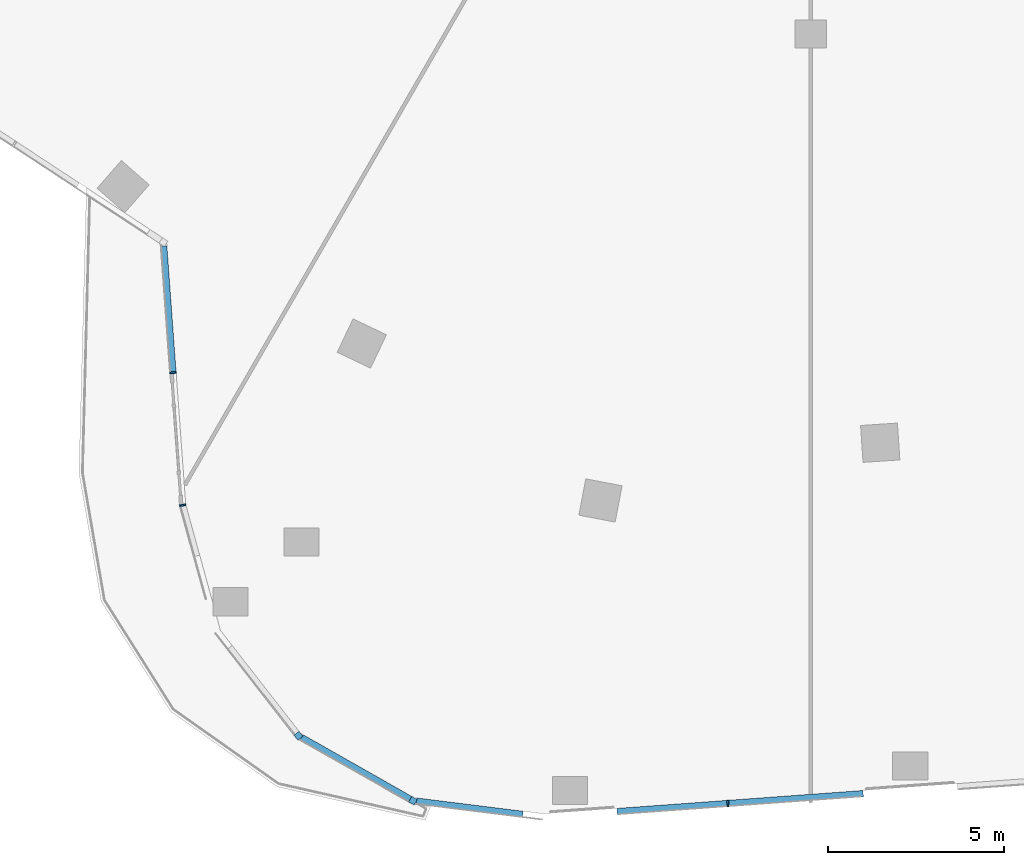
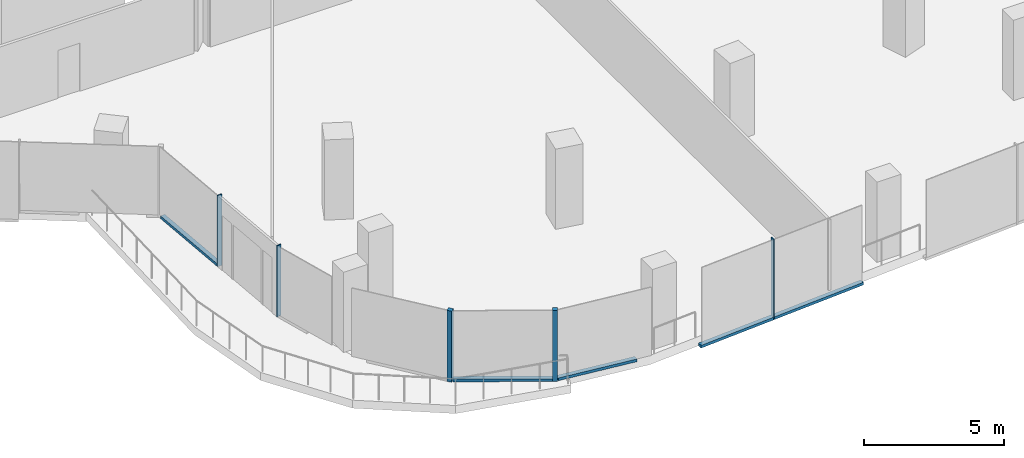
# One storey, part 2 of 26: 9 members, 5 elements without a shape of their own.
"""IFC4 building model written with IfcOpenShell, lengths in metres."""

from ifc_helpers import new_model, si_unit, direction, frame, origin, origin_2d, place, context, subcontext, project, spatial, rectangle, extrude, material, material_profile, profile_set, type_object, element, aggregate, save


model = new_model("IFC4")

# Units and contexts
model_context = context("Model", 3, precision=1e-05, world=origin(), true_north=direction((0.0, 1.0)))
body_context = subcontext(model_context, "Body", "Model", "MODEL_VIEW")
ifc_project = project(units=[si_unit("LENGTHUNIT", "METRE"), si_unit("AREAUNIT", "SQUARE_METRE"), si_unit("VOLUMEUNIT", "CUBIC_METRE"), si_unit("PLANEANGLEUNIT", "RADIAN"), si_unit("MASSUNIT", "GRAM", prefix="KILO")], contexts=[model_context])

# Site, building, storey
site_placement = place(None, origin())
site = spatial("IfcSite", under=ifc_project, at=site_placement, CompositionType="ELEMENT")
building_placement = place(site_placement, origin())
building = spatial("IfcBuilding", under=site, at=building_placement, Name="Orlundy Tower", CompositionType="ELEMENT")
storey_placement = place(building_placement, frame((0.0, 0.0, 232.0)))
storey = spatial("IfcBuildingStorey", under=building, at=storey_placement, Name="L61", CompositionType="ELEMENT", Elevation=232.0)

# Curtain wall, member
ifc_material_1 = material(Name="Aluminium bronze anodised", Category="aluminium")
curtain_wall_type = type_object("IfcCurtainWallType", Name="CW1 wall", PredefinedType="NOTDEFINED", material=ifc_material_1)
curtain_wall_1_placement = place(storey_placement, origin())
curtain_wall_1 = element("IfcCurtainWall", 1, at=curtain_wall_1_placement, inside=storey, type_object=curtain_wall_type, Name="CW1 run 09", PredefinedType="NOTDEFINED")
ifc_material_2 = material(Name="Aluminium bronze anodised", Category="aluminium")
ifc_material_profile_1 = material_profile(ifc_material_2, rectangle(XDim=0.179931640625, YDim=0.179931640625, at=origin_2d()), Name="CW1 corner post 180x180")
ifc_profile_set_1 = profile_set([ifc_material_profile_1], Name="Aluminium bronze anodised")
member_type_1 = type_object("IfcMemberType", Name="CW1 corner post 180x180", PredefinedType="MULLION", material=ifc_profile_set_1)
member_1_placement = place(storey_placement, frame((-11.309814453125, -39.7880859375, 0.0), z_axis=(0.0, 0.0, 1.0), x_axis=(-0.493754430095, -0.869601381531, 0.0)))
member_1 = element("IfcMember", 2, at=member_1_placement, type_object=member_type_1, Name="CW1 mullion 15", PredefinedType="MULLION", context=body_context, shape_type="SweptSolid", body=[
    extrude(rectangle(XDim=0.179931640625, YDim=0.179931640625, at=origin_2d()), origin(), (0.0, 0.0, 1.0), 3.10009765625),
])

curtain_wall_2_placement = place(storey_placement, origin())
curtain_wall_2 = element("IfcCurtainWall", 3, at=curtain_wall_2_placement, inside=storey, type_object=curtain_wall_type, Name="CW1 run 010", PredefinedType="NOTDEFINED")
member_2_placement = place(storey_placement, frame((-14.56396484375, -37.9404296875, 0.0), z_axis=(0.0, 0.0, 1.0), x_axis=(-0.788858043661, -0.614575452611, 0.0)))
member_2 = element("IfcMember", 4, at=member_2_placement, type_object=member_type_1, Name="CW1 mullion 16", PredefinedType="MULLION", context=body_context, shape_type="SweptSolid", body=[
    extrude(rectangle(XDim=0.179931640625, YDim=0.179931640625, at=origin_2d()), origin(), (0.0, 0.0, 1.0), 3.10009765625),
])
aggregate(curtain_wall_2, [member_2])

curtain_wall_3_placement = place(storey_placement, origin())
curtain_wall_3 = element("IfcCurtainWall", 5, at=curtain_wall_3_placement, inside=storey, type_object=curtain_wall_type, Name="CW1 run 07", PredefinedType="NOTDEFINED")
ifc_material_3 = material(Name="Aluminium bronze anodised", Category="aluminium")
ifc_material_profile_2 = material_profile(ifc_material_3, rectangle(XDim=0.179931640625, YDim=0.050048828125, at=origin_2d()), Name="CW1 mullion 50x180")
ifc_profile_set_2 = profile_set([ifc_material_profile_2], Name="Aluminium bronze anodised")
member_type_2 = type_object("IfcMemberType", Name="CW1 mullion 50x180", PredefinedType="MULLION", material=ifc_profile_set_2)
member_3_placement = place(storey_placement, frame((-2.359375, -39.8671875, -0.39990234375), z_axis=(0.0, 0.0, 1.0), x_axis=(0.072668329988, -0.997356161969, 0.0)))
member_3 = element("IfcMember", 6, at=member_3_placement, type_object=member_type_2, Name="CW1 mullion 13", PredefinedType="MULLION", context=body_context, shape_type="SweptSolid", body=[
    extrude(rectangle(XDim=0.179931640625, YDim=0.050048828125, at=origin_2d()), origin(), (0.0, 0.0, 1.0), 3.5),
])

# Curtain wall, members
curtain_wall_4_placement = place(storey_placement, origin())
curtain_wall_4 = element("IfcCurtainWall", 7, at=curtain_wall_4_placement, inside=storey, type_object=curtain_wall_type, Name="CW1 run 012", PredefinedType="NOTDEFINED")
member_4_placement = place(storey_placement, frame((-17.856201171875, -31.389404296875, 0.0), z_axis=(0.0, 0.0, 1.0), x_axis=(-0.985431391159, -0.170073435074, 0.0)))
member_4 = element("IfcMember", 8, at=member_4_placement, type_object=member_type_2, Name="CW1 mullion 18", PredefinedType="MULLION", context=body_context, shape_type="SweptSolid", body=[
    extrude(rectangle(XDim=0.179931640625, YDim=0.050048828125, at=origin_2d()), origin(), (0.0, 0.0, 1.0), 3.10009765625),
])
member_5_placement = place(storey_placement, frame((-18.130859375, -27.6240234375, 0.0), z_axis=(0.0, 0.0, 1.0), x_axis=(-0.997350428587, -0.072746976548, 0.0)))
member_5 = element("IfcMember", 9, at=member_5_placement, type_object=member_type_2, Name="CW1 mullion 19", PredefinedType="MULLION", context=body_context, shape_type="SweptSolid", body=[
    extrude(rectangle(XDim=0.179931640625, YDim=0.050048828125, at=origin_2d()), origin(), (0.0, 0.0, 1.0), 3.10009765625),
])

# Member
ifc_material_4 = material(Name="Aluminium bronze anodised", Category="aluminium")
ifc_material_profile_3 = material_profile(ifc_material_4, rectangle(XDim=0.179931640625, YDim=0.1201171875, at=origin_2d()), Name="CW1 transom 180x120")
ifc_profile_set_3 = profile_set([ifc_material_profile_3], Name="Aluminium bronze anodised")
member_type_3 = type_object("IfcMemberType", Name="CW1 transom 180x120", PredefinedType="USERDEFINED", material=ifc_profile_set_3)
member_6_placement = place(storey_placement, frame((1.486328125, -39.587158203125, -0.340087890625), z_axis=(-0.99735697149, -0.072657218637, 0.0), x_axis=(0.072657218637, -0.99735697149, 0.0)))
member_6 = element("IfcMember", 10, at=member_6_placement, type_object=member_type_3, Name="CW1 transom", ObjectType="TRANSOM", PredefinedType="USERDEFINED", context=body_context, shape_type="SweptSolid", body=[
    extrude(rectangle(XDim=0.179931640625, YDim=0.1201171875, at=origin_2d()), origin(), (0.0, 0.0, 1.0), 7.0126953125),
])

aggregate(curtain_wall_3, [member_3, member_6])

# Curtain wall, member
curtain_wall_5_placement = place(storey_placement, origin())
curtain_wall_5 = element("IfcCurtainWall", 11, at=curtain_wall_5_placement, inside=storey, type_object=curtain_wall_type, Name="CW1 run 08", PredefinedType="NOTDEFINED")
member_7_placement = place(storey_placement, frame((-8.188232421875, -40.1767578125, 0.06005859375), z_axis=(-0.992334453291, 0.12358128018, 0.0), x_axis=(-0.12358128018, -0.992334453291, 0.0)))
member_7 = element("IfcMember", 12, at=member_7_placement, type_object=member_type_3, Name="CW1 transom", ObjectType="TRANSOM", PredefinedType="USERDEFINED", context=body_context, shape_type="SweptSolid", body=[
    extrude(rectangle(XDim=0.179931640625, YDim=0.1201171875, at=origin_2d()), origin(), (0.0, 0.0, 1.0), 3.04833984375),
])
aggregate(curtain_wall_5, [member_7])

# Member
member_8_placement = place(storey_placement, frame((-11.38818359375, -39.74365234375, 0.06005859375), z_axis=(-0.869596650944, 0.493762761523, 0.0), x_axis=(-0.493762761523, -0.869596650944, 0.0)))
member_8 = element("IfcMember", 13, at=member_8_placement, type_object=member_type_3, Name="CW1 transom", ObjectType="TRANSOM", PredefinedType="USERDEFINED", context=body_context, shape_type="SweptSolid", body=[
    extrude(rectangle(XDim=0.179931640625, YDim=0.1201171875, at=origin_2d()), origin(), (0.0, 0.0, 1.0), 3.5546875),
])

aggregate(curtain_wall_1, [member_1, member_8])

member_9_placement = place(storey_placement, frame((-18.132568359375, -27.59912109375, 0.06005859375), z_axis=(-0.072757475397, 0.997349662743, 0.0), x_axis=(-0.997349662743, -0.072757475397, 0.0)))
member_9 = element("IfcMember", 14, at=member_9_placement, type_object=member_type_3, Name="CW1 transom", ObjectType="TRANSOM", PredefinedType="USERDEFINED", context=body_context, shape_type="SweptSolid", body=[
    extrude(rectangle(XDim=0.179931640625, YDim=0.1201171875, at=origin_2d()), origin(), (0.0, 0.0, 1.0), 3.583740234375),
])

aggregate(curtain_wall_4, [member_4, member_5, member_9])

save(model, "model.ifc")
